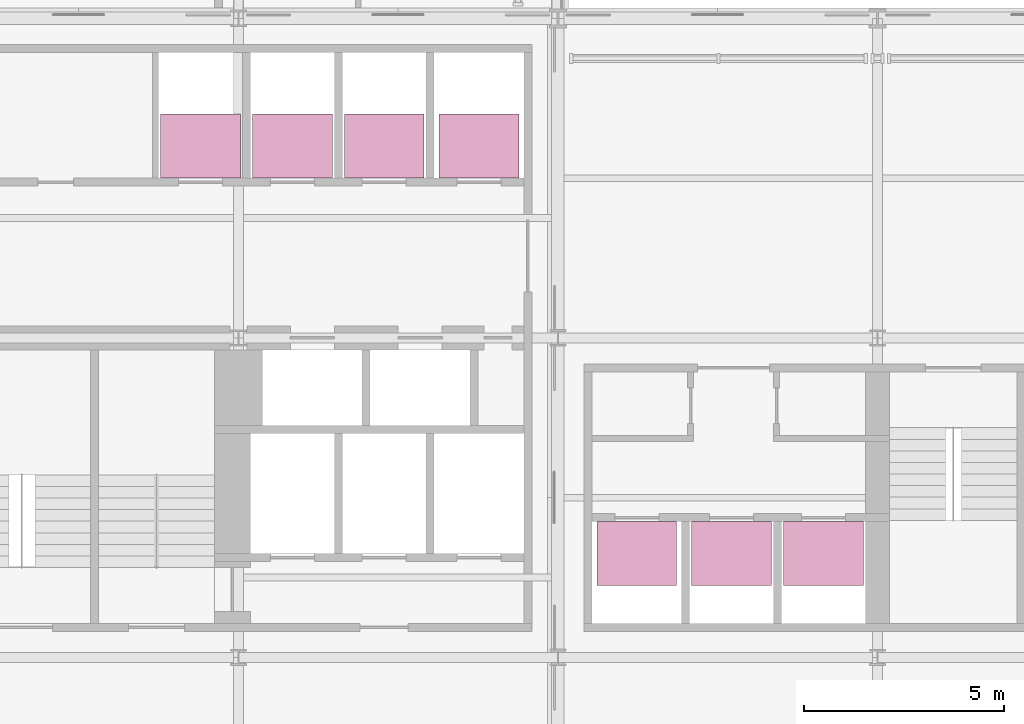
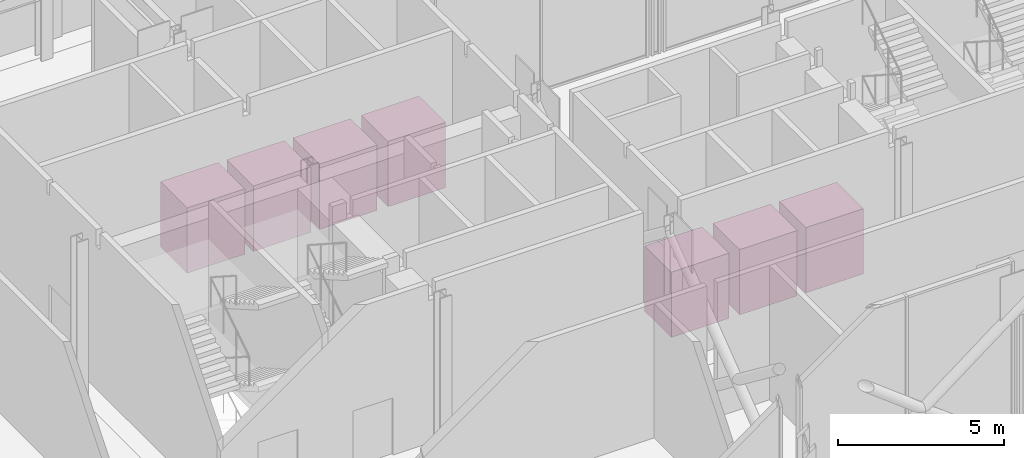
# One storey, part 23 of 23: 7 transport elements.
"""IFC4 building model written with IfcOpenShell, lengths in metres."""

from ifc_helpers import new_model, si_unit, direction, frame, origin, origin_2d, place, context, subcontext, project, spatial, rectangle, extrude, material, type_object, element, save


model = new_model("IFC4")

# Units and contexts
model_context = context("Model", 3, precision=1e-05, world=origin(), true_north=direction((0.0, 1.0)))
body_context = subcontext(model_context, "Body", "Model", "MODEL_VIEW")
ifc_project = project(units=[si_unit("LENGTHUNIT", "METRE"), si_unit("AREAUNIT", "SQUARE_METRE"), si_unit("VOLUMEUNIT", "CUBIC_METRE"), si_unit("PLANEANGLEUNIT", "RADIAN"), si_unit("MASSUNIT", "GRAM", prefix="KILO")], contexts=[model_context])

# Site, building, storey
site_placement = place(None, origin())
site = spatial("IfcSite", under=ifc_project, at=site_placement, CompositionType="ELEMENT")
building_placement = place(site_placement, origin())
building = spatial("IfcBuilding", under=site, at=building_placement, Name="Immortelle Media Tower", CompositionType="ELEMENT")
storey_placement = place(building_placement, frame((0.0, 0.0, 183.0)))
storey = spatial("IfcBuildingStorey", under=building, at=storey_placement, Name="L38", CompositionType="ELEMENT", Elevation=183.0)

# Transport elements
ifc_material = material(Name="Stainless steel AISI 304", Category="steel")
transport_element_type_1 = type_object("IfcTransportElementType", Name="Lift car HR 2000 x 1600", PredefinedType="ELEVATOR", material=ifc_material)
for number, where, z_axis, x_axis, name in (
    (1, (15.050048828125, 20.800048828125, 0.0), (0.0, 0.0, 1.0), (1.0, 0.0, 0.0), "Lift HR1"),
    (2, (17.35009765625, 20.800048828125, 0.0), (0.0, 0.0, 1.0), (1.0, 0.0, 0.0), "Lift HR2"),
    (3, (19.64990234375, 20.800048828125, 0.0), (0.0, 0.0, 1.0), (1.0, 0.0, 0.0), "Lift HR3"),
    (4, (22.02490234375, 20.800048828125, 0.0), (0.0, 0.0, 1.0), (1.0, 0.0, 0.0), "Lift HR4"),
):
    element("IfcTransportElement", number, at=place(storey_placement, frame(where, z_axis=z_axis, x_axis=x_axis)), inside=storey, type_object=transport_element_type_1, Name=name, PredefinedType="ELEVATOR", context=body_context, shape_type="SweptSolid", body=[
        extrude(rectangle(XDim=2.0, YDim=1.60009765625, at=origin_2d()), origin(), (0.0, 0.0, 1.0), 2.39990234375),
    ])
transport_element_type_2 = type_object("IfcTransportElementType", Name="Lift car HS 2000 x 1600", PredefinedType="ELEVATOR", material=ifc_material)
for number, where, z_axis, x_axis, name in (
    (5, (25.97509765625, 10.60009765625, 0.0), (0.0, 0.0, 1.0), (1.0, 0.0, 0.0), "Lift HS1"),
    (6, (28.35009765625, 10.60009765625, 0.0), (0.0, 0.0, 1.0), (1.0, 0.0, 0.0), "Lift HS2"),
    (7, (30.64990234375, 10.60009765625, 0.0), (0.0, 0.0, 1.0), (1.0, 0.0, 0.0), "Lift HS3"),
):
    element("IfcTransportElement", number, at=place(storey_placement, frame(where, z_axis=z_axis, x_axis=x_axis)), inside=storey, type_object=transport_element_type_2, Name=name, PredefinedType="ELEVATOR", context=body_context, shape_type="SweptSolid", body=[
        extrude(rectangle(XDim=2.0, YDim=1.60009765625, at=origin_2d()), origin(), (0.0, 0.0, 1.0), 2.39990234375),
    ])

save(model, "model.ifc")
